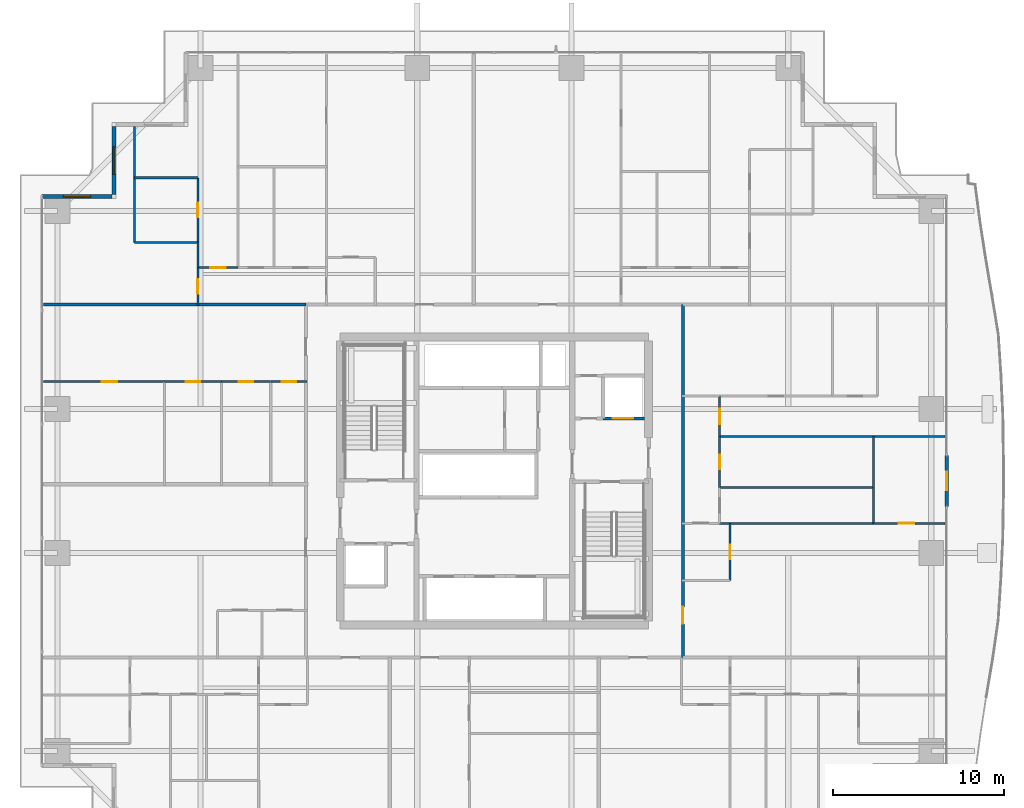
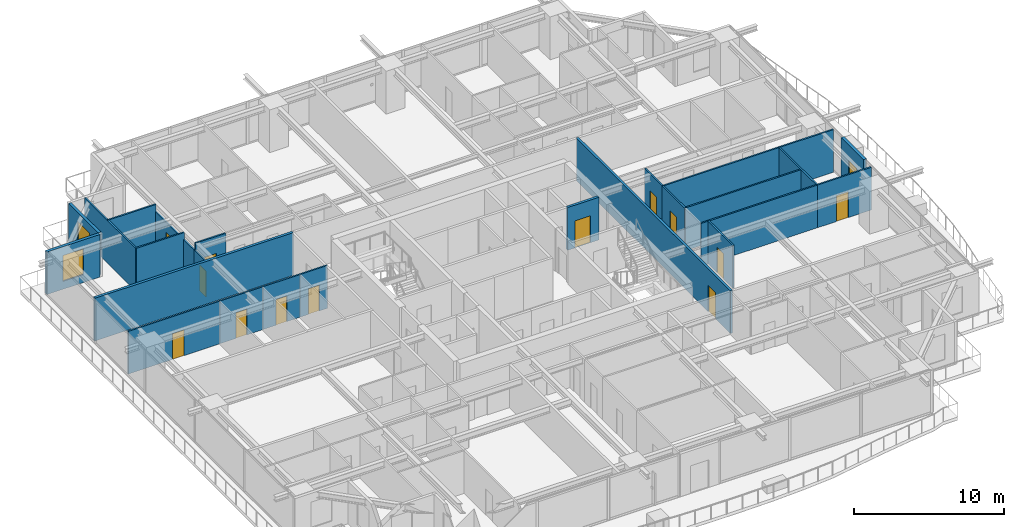
# One storey, part 30 of 39: 25 walls, 14 doors, 2 windows, 16 openings.
"""IFC4 building model written with IfcOpenShell, lengths in metres."""

from ifc_helpers import new_model, si_unit, direction, frame, frame_2d, origin, place, context, subcontext, project, spatial, rectangle, extrude, source, transform, mapped, material, layer, layer_set, type_object, element, fill, save


model = new_model("IFC4")

# Units and contexts
model_context = context("Model", 3, precision=1e-05, world=origin(), true_north=direction((0.0, 1.0)))
body_context = subcontext(model_context, "Body", "Model", "MODEL_VIEW")
ifc_project = project(units=[si_unit("LENGTHUNIT", "METRE"), si_unit("AREAUNIT", "SQUARE_METRE"), si_unit("VOLUMEUNIT", "CUBIC_METRE"), si_unit("PLANEANGLEUNIT", "RADIAN"), si_unit("MASSUNIT", "GRAM", prefix="KILO")], contexts=[model_context])

# Site, building, storey
site_placement = place(None, origin())
site = spatial("IfcSite", under=ifc_project, at=site_placement, CompositionType="ELEMENT")
building_placement = place(site_placement, origin())
building = spatial("IfcBuilding", under=site, at=building_placement, Name="Serunith Strait Residences", CompositionType="ELEMENT")
storey_placement = place(building_placement, frame((0.0, 0.0, 64.199951171875)))
storey = spatial("IfcBuildingStorey", under=building, at=storey_placement, Name="L15", CompositionType="ELEMENT", Elevation=64.199951171875)

# Wall, opening, door
ifc_material_1 = material(Name="Pale-Champagne Aluminium Insulated Panel", Category="aluminium")
ifc_layer_1 = layer(ifc_material_1, 0.219970703125, Name="Pale-Champagne Aluminium Insulated Panel")
ifc_layer_set_1 = layer_set([ifc_layer_1], Name="Pale-Champagne Aluminium Insulated Panel")
wall_type_1 = type_object("IfcWallType", Name="EW-ALUM-220", PredefinedType="ELEMENTEDWALL", material=ifc_layer_set_1)
wall_1_placement = place(storey_placement, frame((58.800048828125, 23.699951171875, 0.0), z_axis=(0.0, 0.0, 1.0), x_axis=(0.0, 1.0, 0.0)))
wall_1 = element("IfcWall", 1, at=wall_1_placement, inside=storey, type_object=wall_type_1, Name="L15 E Facade Pier Wall", PredefinedType="ELEMENTEDWALL", context=body_context, shape_type="SweptSolid", body=[
    extrude(rectangle(XDim=3.0, YDim=0.219970703125, at=frame_2d((1.5, 0.0))), origin(), (0.0, 0.0, 1.0), 3.47509765625),
])
opening_1_placement = place(wall_1_placement, frame((0.949951171875, 0.0, 0.0)))
opening_1 = element("IfcOpeningElement", 2, at=opening_1_placement, cuts=wall_1, Name="Opening ED-03", PredefinedType="OPENING", context=body_context, shape_type="SweptSolid", body=[
    extrude(rectangle(XDim=1.10009765625, YDim=2.199951171875, at=frame_2d((0.550048828125, 1.10009765625))), frame((0.0, 0.1201171875, 0.0), z_axis=(0.0, -1.0, 0.0), x_axis=(1.0, 0.0, 0.0)), (0.0, 0.0, 1.0), 0.239990234375),
])
ifc_material_2 = material(Name="Thermally-Broken Aluminium Glazed Balcony Door", Category="aluminium")
door_type_1 = type_object("IfcDoorType", Name="ED-BALC-1100", OperationType="NOTDEFINED", PredefinedType="DOOR", material=ifc_material_2)
shared_shape_1 = source(origin(), body_context, "Body", "SweptSolid", [
    extrude(rectangle(XDim=1.10009765625, YDim=2.199951171875, at=frame_2d((0.550048828125, 1.10009765625))), frame((0.0, 0.02490234375, 0.0), z_axis=(0.0, -1.0, 0.0), x_axis=(1.0, 0.0, 0.0)), (0.0, 0.0, 1.0), 0.050048828125),
])
door_1_placement = place(opening_1_placement, origin())
door_1 = element("IfcDoor", 3, at=door_1_placement, inside=storey, type_object=door_type_1, Name="L15 E Vertical-Forest Balcony Door", OperationType="SINGLE_SWING_RIGHT", OverallHeight=2.199951171875, OverallWidth=1.10009765625, PredefinedType="DOOR", context=body_context, shape_type="MappedRepresentation", body=[
    mapped(shared_shape_1, transform((0.0, 0.0, 0.0), scale=1.0)),
])
fill(opening_1, door_1)

# Wall, opening, window
wall_2_placement = place(storey_placement, frame((10.199951171875, 45.889892578125, 0.0), z_axis=(0.0, 0.0, 1.0), x_axis=(0.0, -1.0, 0.0)))
wall_2 = element("IfcWall", 4, at=wall_2_placement, inside=storey, type_object=wall_type_1, Name="L15 Girih Serrated Corner Wall 14", PredefinedType="ELEMENTEDWALL", context=body_context, shape_type="SweptSolid", body=[
    extrude(rectangle(XDim=3.97998046875, YDim=0.219970703125, at=frame_2d((1.989990234375, 0.0))), origin(), (0.0, 0.0, 1.0), 3.47509765625),
])
opening_2_placement = place(wall_2_placement, frame((1.18994140625, 0.0, 0.64990234375)))
opening_2 = element("IfcOpeningElement", 5, at=opening_2_placement, cuts=wall_2, Name="Opening W-02", PredefinedType="OPENING", context=body_context, shape_type="SweptSolid", body=[
    extrude(rectangle(XDim=1.60009765625, YDim=2.10009765625, at=frame_2d((0.800048828125, 1.050048828125))), frame((0.0, 0.1201171875, 0.0), z_axis=(0.0, -1.0, 0.0), x_axis=(1.0, 0.0, 0.0)), (0.0, 0.0, 1.0), 0.239990234375),
])
ifc_material_3 = material(Name="Ceramic-Fritted Operable Aluminium Window Glass", Category="aluminium")
window_type = type_object("IfcWindowType", Name="WIN-C2", PartitioningType="DOUBLE_PANEL_VERTICAL", PredefinedType="WINDOW", material=ifc_material_3)
shared_shape_2 = source(origin(), body_context, "Body", "SweptSolid", [
    extrude(rectangle(XDim=1.60009765625, YDim=2.10009765625, at=frame_2d((0.800048828125, 1.050048828125))), frame((0.0, 0.030029296875, 0.0), z_axis=(0.0, -1.0, 0.0), x_axis=(1.0, 0.0, 0.0)), (0.0, 0.0, 1.0), 0.06005859375),
])
window_1_placement = place(opening_2_placement, origin())
window_1 = element("IfcWindow", 6, at=window_1_placement, inside=storey, type_object=window_type, Name="L15 Corner Operable Fritted Window 14", OverallHeight=2.10009765625, OverallWidth=1.60009765625, PartitioningType="SINGLE_PANEL", PredefinedType="WINDOW", context=body_context, shape_type="MappedRepresentation", body=[
    mapped(shared_shape_2, transform((0.0, 0.0, 0.0), scale=1.0)),
])
fill(opening_2, window_1)

wall_3_placement = place(storey_placement, frame((10.090087890625, 41.800048828125, 0.0), z_axis=(0.0, 0.0, 1.0), x_axis=(-1.0, 0.0, 0.0)))
wall_3 = element("IfcWall", 7, at=wall_3_placement, inside=storey, type_object=wall_type_1, Name="L15 Girih Serrated Corner Wall 15", PredefinedType="ELEMENTEDWALL", context=body_context, shape_type="SweptSolid", body=[
    extrude(rectangle(XDim=4.090087890625, YDim=0.219970703125, at=frame_2d((2.044921875, 0.0))), origin(), (0.0, 0.0, 1.0), 3.47509765625),
])
opening_3_placement = place(wall_3_placement, frame((1.2451171875, 0.0, 0.64990234375)))
opening_3 = element("IfcOpeningElement", 8, at=opening_3_placement, cuts=wall_3, Name="Opening W-02", PredefinedType="OPENING", context=body_context, shape_type="SweptSolid", body=[
    extrude(rectangle(XDim=1.60009765625, YDim=2.10009765625, at=frame_2d((0.800048828125, 1.050048828125))), frame((0.0, 0.1201171875, 0.0), z_axis=(0.0, -1.0, 0.0), x_axis=(1.0, 0.0, 0.0)), (0.0, 0.0, 1.0), 0.239990234375),
])
window_2_placement = place(opening_3_placement, origin())
window_2 = element("IfcWindow", 9, at=window_2_placement, inside=storey, type_object=window_type, Name="L15 Corner Operable Fritted Window 15", OverallHeight=2.10009765625, OverallWidth=1.60009765625, PartitioningType="SINGLE_PANEL", PredefinedType="WINDOW", context=body_context, shape_type="MappedRepresentation", body=[
    mapped(shared_shape_2, transform((0.0, 0.0, 0.0), scale=1.0)),
])
fill(opening_3, window_2)

# Wall, opening, door
ifc_material_4 = material(Name="Fire-rated acoustic gypsum partition")
ifc_layer_2 = layer(ifc_material_4, 0.179931640625, Name="Fire-rated acoustic gypsum partition")
ifc_layer_set_2 = layer_set([ifc_layer_2], Name="Fire-rated acoustic gypsum partition")
wall_type_2 = type_object("IfcWallType", Name="IW-CORR-180", PredefinedType="PARTITIONING", material=ifc_layer_set_2)
wall_4_placement = place(storey_placement, frame((43.39990234375, 14.89990234375, 0.0), z_axis=(0.0, 0.0, 1.0), x_axis=(0.0, 1.0, 0.0)))
wall_4 = element("IfcWall", 10, at=wall_4_placement, inside=storey, type_object=wall_type_2, Name="L15 Partition Wall 026", PredefinedType="PARTITIONING", context=body_context, shape_type="SweptSolid", body=[
    extrude(rectangle(XDim=20.60009765625, YDim=0.179931640625, at=frame_2d((10.300048828125, 0.0))), origin(), (0.0, 0.0, 1.0), 3.489990234375),
])
opening_4_placement = place(wall_4_placement, frame((1.9599609375, 0.0, 0.0)))
opening_4 = element("IfcOpeningElement", 11, at=opening_4_placement, cuts=wall_4, Name="Opening D-APT1000", PredefinedType="OPENING", context=body_context, shape_type="SweptSolid", body=[
    extrude(rectangle(XDim=1.0, YDim=2.14990234375, at=frame_2d((0.5, 1.074951171875))), frame((0.0, 0.10009765625, 0.0), z_axis=(0.0, -1.0, 0.0), x_axis=(1.0, 0.0, 0.0)), (0.0, 0.0, 1.0), 0.199951171875),
])
ifc_material_5 = material(Name="Solid timber engineered fire door", Category="wood")
door_type_2 = type_object("IfcDoorType", Name="ID-APT-1000", OperationType="NOTDEFINED", PredefinedType="DOOR", material=ifc_material_5)
shared_shape_3 = source(origin(), body_context, "Body", "SweptSolid", [
    extrude(rectangle(XDim=1.0, YDim=2.14990234375, at=frame_2d((0.5, 1.074951171875))), frame((0.0, 0.02490234375, 0.0), z_axis=(0.0, -1.0, 0.0), x_axis=(1.0, 0.0, 0.0)), (0.0, 0.0, 1.0), 0.050048828125),
])
door_2_placement = place(opening_4_placement, origin())
door_2 = element("IfcDoor", 12, at=door_2_placement, inside=storey, type_object=door_type_2, Name="L15 Unit 08 Entrance Door", OperationType="SINGLE_SWING_RIGHT", OverallHeight=2.14990234375, OverallWidth=1.0, PredefinedType="DOOR", context=body_context, shape_type="MappedRepresentation", body=[
    mapped(shared_shape_3, transform((0.0, 0.0, 0.0), scale=1.0)),
])
fill(opening_4, door_2)

ifc_material_6 = material(Name="Lightweight steel-stud gypsum partition", Category="steel")
ifc_layer_3 = layer(ifc_material_6, 0.1201171875, Name="Lightweight steel-stud gypsum partition")
ifc_layer_set_3 = layer_set([ifc_layer_3], Name="Lightweight steel-stud gypsum partition")
wall_type_3 = type_object("IfcWallType", Name="IW-PART-120", PredefinedType="PARTITIONING", material=ifc_layer_set_3)
wall_5_placement = place(storey_placement, frame((15.10009765625, 37.64990234375, 0.0), z_axis=(0.0, 0.0, 1.0), x_axis=(1.0, 0.0, 0.0)))
wall_5 = element("IfcWall", 13, at=wall_5_placement, inside=storey, type_object=wall_type_3, Name="L15 Partition Wall 074", PredefinedType="PARTITIONING", context=body_context, shape_type="SweptSolid", body=[
    extrude(rectangle(XDim=2.347900390625, YDim=0.1201171875, at=frame_2d((1.173828125, 0.0))), origin(), (0.0, 0.0, 1.0), 3.489990234375),
])
opening_5_placement = place(wall_5_placement, frame((0.72412109375, 0.0, 0.0)))
opening_5 = element("IfcOpeningElement", 14, at=opening_5_placement, cuts=wall_5, Name="Opening D-RM900", PredefinedType="OPENING", context=body_context, shape_type="SweptSolid", body=[
    extrude(rectangle(XDim=0.89990234375, YDim=2.10009765625, at=frame_2d((0.449951171875, 1.050048828125))), frame((0.0, 0.070068359375, 0.0), z_axis=(0.0, -1.0, 0.0), x_axis=(1.0, 0.0, 0.0)), (0.0, 0.0, 1.0), 0.14013671875),
])
ifc_material_7 = material(Name="Engineered timber flush bedroom door", Category="wood")
door_type_3 = type_object("IfcDoorType", Name="ID-ROOM-900", OperationType="NOTDEFINED", PredefinedType="DOOR", material=ifc_material_7)
shared_shape_4 = source(origin(), body_context, "Body", "SweptSolid", [
    extrude(rectangle(XDim=0.89990234375, YDim=2.10009765625, at=frame_2d((0.449951171875, 1.050048828125))), frame((0.0, 0.02490234375, 0.0), z_axis=(0.0, -1.0, 0.0), x_axis=(1.0, 0.0, 0.0)), (0.0, 0.0, 1.0), 0.050048828125),
])
door_3_placement = place(opening_5_placement, origin())
door_3 = element("IfcDoor", 15, at=door_3_placement, inside=storey, type_object=door_type_3, Name="L15 Master Bedroom W 1504 Door", OperationType="SINGLE_SWING_RIGHT", OverallHeight=2.10009765625, OverallWidth=0.89990234375, PredefinedType="DOOR", context=body_context, shape_type="MappedRepresentation", body=[
    mapped(shared_shape_4, transform((0.0, 0.0, 0.0), scale=1.0)),
])
fill(opening_5, door_3)

# Walls
wall_6_placement = place(storey_placement, frame((11.39990234375, 42.89794921875, 0.0), z_axis=(0.0, 0.0, 1.0), x_axis=(1.0, 0.0, 0.0)))
element("IfcWall", 16, at=wall_6_placement, inside=storey, type_object=wall_type_3, Name="L15 Partition Wall 075", PredefinedType="PARTITIONING", context=body_context, shape_type="SweptSolid", body=[
    extrude(rectangle(XDim=3.7001953125, YDim=0.1201171875, at=frame_2d((1.85009765625, 0.0))), origin(), (0.0, 0.0, 1.0), 3.489990234375),
])
wall_7_placement = place(storey_placement, frame((11.39990234375, 45.905029296875, 0.0), z_axis=(0.0, 0.0, 1.0), x_axis=(0.0, -1.0, 0.0)))
element("IfcWall", 17, at=wall_7_placement, inside=storey, type_object=wall_type_3, Name="L15 Partition Wall 076", PredefinedType="PARTITIONING", context=body_context, shape_type="SweptSolid", body=[
    extrude(rectangle(XDim=6.791015625, YDim=0.1201171875, at=frame_2d((3.3955078125, 0.0))), origin(), (0.0, 0.0, 1.0), 3.489990234375),
])
wall_8_placement = place(storey_placement, frame((11.39990234375, 39.114013671875, 0.0), z_axis=(0.0, 0.0, 1.0), x_axis=(1.0, 0.0, 0.0)))
element("IfcWall", 18, at=wall_8_placement, inside=storey, type_object=wall_type_3, Name="L15 Partition Wall 077", PredefinedType="PARTITIONING", context=body_context, shape_type="SweptSolid", body=[
    extrude(rectangle(XDim=3.7001953125, YDim=0.1201171875, at=frame_2d((1.85009765625, 0.0))), origin(), (0.0, 0.0, 1.0), 3.489990234375),
])

# Wall, opening, door
wall_9_placement = place(storey_placement, frame((15.10009765625, 42.89794921875, 0.0), z_axis=(0.0, 0.0, 1.0), x_axis=(0.0, -1.0, 0.0)))
wall_9 = element("IfcWall", 19, at=wall_9_placement, inside=storey, type_object=wall_type_3, Name="L15 Partition Wall 078", PredefinedType="PARTITIONING", context=body_context, shape_type="SweptSolid", body=[
    extrude(rectangle(XDim=3.783935546875, YDim=0.1201171875, at=frame_2d((1.89208984375, 0.0))), origin(), (0.0, 0.0, 1.0), 2.922119140625),
])
opening_6_placement = place(wall_9_placement, frame((1.467041015625, 0.0, 0.0)))
opening_6 = element("IfcOpeningElement", 20, at=opening_6_placement, cuts=wall_9, Name="Opening D-BTH850", PredefinedType="OPENING", context=body_context, shape_type="SweptSolid", body=[
    extrude(rectangle(XDim=0.85009765625, YDim=2.10009765625, at=frame_2d((0.425048828125, 1.050048828125))), frame((0.0, 0.070068359375, 0.0), z_axis=(0.0, -1.0, 0.0), x_axis=(1.0, 0.0, 0.0)), (0.0, 0.0, 1.0), 0.14013671875),
])
ifc_material_8 = material(Name="Moisture-resistant timber bathroom door", Category="wood")
door_type_4 = type_object("IfcDoorType", Name="ID-BATH-850", OperationType="NOTDEFINED", PredefinedType="DOOR", material=ifc_material_8)
shared_shape_5 = source(origin(), body_context, "Body", "SweptSolid", [
    extrude(rectangle(XDim=0.85009765625, YDim=2.10009765625, at=frame_2d((0.425048828125, 1.050048828125))), frame((0.0, 0.02490234375, 0.0), z_axis=(0.0, -1.0, 0.0), x_axis=(1.0, 0.0, 0.0)), (0.0, 0.0, 1.0), 0.050048828125),
])
door_4_placement = place(opening_6_placement, origin())
door_4 = element("IfcDoor", 21, at=door_4_placement, inside=storey, type_object=door_type_4, Name="L15 En-suite Bathroom W 1504 Door", OperationType="SINGLE_SWING_LEFT", OverallHeight=2.10009765625, OverallWidth=0.85009765625, PredefinedType="DOOR", context=body_context, shape_type="MappedRepresentation", body=[
    mapped(shared_shape_5, transform((0.0, 0.0, 0.0), scale=1.0)),
])
fill(opening_6, door_4)

# Wall
wall_10_placement = place(storey_placement, frame((15.10009765625, 39.112060546875, 0.0), z_axis=(0.0, 0.0, 1.0), x_axis=(0.0, -1.0, 0.0)))
element("IfcWall", 22, at=wall_10_placement, inside=storey, type_object=wall_type_3, Name="L15 Partition Wall 079", PredefinedType="PARTITIONING", context=body_context, shape_type="SweptSolid", body=[
    extrude(rectangle(XDim=1.462158203125, YDim=0.1201171875, at=frame_2d((0.73095703125, 0.0))), origin(), (0.0, 0.0, 1.0), 2.922119140625),
])

# Wall, opening, door
wall_11_placement = place(storey_placement, frame((15.10009765625, 37.64794921875, 0.0), z_axis=(0.0, 0.0, 1.0), x_axis=(0.0, -1.0, 0.0)))
wall_11 = element("IfcWall", 23, at=wall_11_placement, inside=storey, type_object=wall_type_3, Name="L15 Partition Wall 080", PredefinedType="PARTITIONING", context=body_context, shape_type="SweptSolid", body=[
    extrude(rectangle(XDim=2.2080078125, YDim=0.1201171875, at=frame_2d((1.10400390625, 0.0))), origin(), (0.0, 0.0, 1.0), 2.922119140625),
])
opening_7_placement = place(wall_11_placement, frame((0.678955078125, 0.0, 0.0)))
opening_7 = element("IfcOpeningElement", 24, at=opening_7_placement, cuts=wall_11, Name="Opening D-RM850", PredefinedType="OPENING", context=body_context, shape_type="SweptSolid", body=[
    extrude(rectangle(XDim=0.85009765625, YDim=2.10009765625, at=frame_2d((0.425048828125, 1.050048828125))), frame((0.0, 0.070068359375, 0.0), z_axis=(0.0, -1.0, 0.0), x_axis=(1.0, 0.0, 0.0)), (0.0, 0.0, 1.0), 0.14013671875),
])
ifc_material_9 = material(Name="Engineered timber flush study and kitchen door", Category="wood")
door_type_5 = type_object("IfcDoorType", Name="ID-ROOM-850", OperationType="NOTDEFINED", PredefinedType="DOOR", material=ifc_material_9)
door_5_placement = place(opening_7_placement, origin())
door_5 = element("IfcDoor", 25, at=door_5_placement, inside=storey, type_object=door_type_5, Name="L15 Wardrobe W 1504 Door", OperationType="SINGLE_SWING_RIGHT", OverallHeight=2.10009765625, OverallWidth=0.85009765625, PredefinedType="DOOR", context=body_context, shape_type="MappedRepresentation", body=[
    mapped(shared_shape_5, transform((0.0, 0.0, 0.0), scale=1.0)),
])
fill(opening_7, door_5)

wall_12_placement = place(storey_placement, frame((6.094970703125, 31.0, 0.0), z_axis=(0.0, 0.0, 1.0), x_axis=(1.0, 0.0, 0.0)))
wall_12 = element("IfcWall", 26, at=wall_12_placement, inside=storey, type_object=wall_type_3, Name="L15 Partition Wall 100", PredefinedType="PARTITIONING", context=body_context, shape_type="SweptSolid", body=[
    extrude(rectangle(XDim=7.06298828125, YDim=0.1201171875, at=frame_2d((3.531494140625, 0.0))), origin(), (0.0, 0.0, 1.0), 3.489990234375),
])
opening_8_placement = place(wall_12_placement, frame((3.389892578125, 0.0, 0.0)))
opening_8 = element("IfcOpeningElement", 27, at=opening_8_placement, cuts=wall_12, Name="Opening D-RM900", PredefinedType="OPENING", context=body_context, shape_type="SweptSolid", body=[
    extrude(rectangle(XDim=0.89990234375, YDim=2.10009765625, at=frame_2d((0.449951171875, 1.050048828125))), frame((0.0, 0.070068359375, 0.0), z_axis=(0.0, -1.0, 0.0), x_axis=(1.0, 0.0, 0.0)), (0.0, 0.0, 1.0), 0.14013671875),
])
door_6_placement = place(opening_8_placement, origin())
door_6 = element("IfcDoor", 28, at=door_6_placement, inside=storey, type_object=door_type_3, Name="L15 Master Bedroom 1 1507 Door", OperationType="SINGLE_SWING_RIGHT", OverallHeight=2.10009765625, OverallWidth=0.89990234375, PredefinedType="DOOR", context=body_context, shape_type="MappedRepresentation", body=[
    mapped(shared_shape_4, transform((0.0, 0.0, 0.0), scale=1.0)),
])
fill(opening_8, door_6)

wall_13_placement = place(storey_placement, frame((13.159912109375, 31.0, 0.0), z_axis=(0.0, 0.0, 1.0), x_axis=(1.0, 0.0, 0.0)))
wall_13 = element("IfcWall", 29, at=wall_13_placement, inside=storey, type_object=wall_type_3, Name="L15 Partition Wall 104", PredefinedType="PARTITIONING", context=body_context, shape_type="SweptSolid", body=[
    extrude(rectangle(XDim=3.30712890625, YDim=0.1201171875, at=frame_2d((1.653564453125, 0.0))), origin(), (0.0, 0.0, 1.0), 3.489990234375),
])
opening_9_placement = place(wall_13_placement, frame((1.22802734375, 0.0, 0.0)))
opening_9 = element("IfcOpeningElement", 30, at=opening_9_placement, cuts=wall_13, Name="Opening D-RM850", PredefinedType="OPENING", context=body_context, shape_type="SweptSolid", body=[
    extrude(rectangle(XDim=0.85009765625, YDim=2.10009765625, at=frame_2d((0.425048828125, 1.050048828125))), frame((0.0, 0.070068359375, 0.0), z_axis=(0.0, -1.0, 0.0), x_axis=(1.0, 0.0, 0.0)), (0.0, 0.0, 1.0), 0.14013671875),
])
door_7_placement = place(opening_9_placement, origin())
door_7 = element("IfcDoor", 31, at=door_7_placement, inside=storey, type_object=door_type_5, Name="L15 Dining 1507 Door", OperationType="SINGLE_SWING_LEFT", OverallHeight=2.10009765625, OverallWidth=0.85009765625, PredefinedType="DOOR", context=body_context, shape_type="MappedRepresentation", body=[
    mapped(shared_shape_5, transform((0.0, 0.0, 0.0), scale=1.0)),
])
fill(opening_9, door_7)

wall_14_placement = place(storey_placement, frame((16.468994140625, 31.0, 0.0), z_axis=(0.0, 0.0, 1.0), x_axis=(1.0, 0.0, 0.0)))
wall_14 = element("IfcWall", 32, at=wall_14_placement, inside=storey, type_object=wall_type_3, Name="L15 Partition Wall 105", PredefinedType="PARTITIONING", context=body_context, shape_type="SweptSolid", body=[
    extrude(rectangle(XDim=2.881103515625, YDim=0.1201171875, at=frame_2d((1.4404296875, 0.0))), origin(), (0.0, 0.0, 1.0), 3.489990234375),
])
opening_10_placement = place(wall_14_placement, frame((1.01611328125, 0.0, 0.0)))
opening_10 = element("IfcOpeningElement", 33, at=opening_10_placement, cuts=wall_14, Name="Opening D-RM850", PredefinedType="OPENING", context=body_context, shape_type="SweptSolid", body=[
    extrude(rectangle(XDim=0.85009765625, YDim=2.10009765625, at=frame_2d((0.425048828125, 1.050048828125))), frame((0.0, 0.070068359375, 0.0), z_axis=(0.0, -1.0, 0.0), x_axis=(1.0, 0.0, 0.0)), (0.0, 0.0, 1.0), 0.14013671875),
])
door_8_placement = place(opening_10_placement, origin())
door_8 = element("IfcDoor", 34, at=door_8_placement, inside=storey, type_object=door_type_5, Name="L15 Kitchen 1507 Door", OperationType="SINGLE_SWING_RIGHT", OverallHeight=2.10009765625, OverallWidth=0.85009765625, PredefinedType="DOOR", context=body_context, shape_type="MappedRepresentation", body=[
    mapped(shared_shape_5, transform((0.0, 0.0, 0.0), scale=1.0)),
])
fill(opening_10, door_8)

wall_15_placement = place(storey_placement, frame((19.35205078125, 31.0, 0.0), z_axis=(0.0, 0.0, 1.0), x_axis=(1.0, 0.0, 0.0)))
wall_15 = element("IfcWall", 35, at=wall_15_placement, inside=storey, type_object=wall_type_3, Name="L15 Partition Wall 106", PredefinedType="PARTITIONING", context=body_context, shape_type="SweptSolid", body=[
    extrude(rectangle(XDim=2.10791015625, YDim=0.1201171875, at=frame_2d((1.053955078125, 0.0))), origin(), (0.0, 0.0, 1.0), 3.489990234375),
])
opening_11_placement = place(wall_15_placement, frame((0.62890625, 0.0, 0.0)))
opening_11 = element("IfcOpeningElement", 36, at=opening_11_placement, cuts=wall_15, Name="Opening D-BTH850", PredefinedType="OPENING", context=body_context, shape_type="SweptSolid", body=[
    extrude(rectangle(XDim=0.85009765625, YDim=2.10009765625, at=frame_2d((0.425048828125, 1.050048828125))), frame((0.0, 0.070068359375, 0.0), z_axis=(0.0, -1.0, 0.0), x_axis=(1.0, 0.0, 0.0)), (0.0, 0.0, 1.0), 0.14013671875),
])
door_9_placement = place(opening_11_placement, origin())
door_9 = element("IfcDoor", 37, at=door_9_placement, inside=storey, type_object=door_type_4, Name="L15 Bathroom 1507 Door", OperationType="SINGLE_SWING_LEFT", OverallHeight=2.10009765625, OverallWidth=0.85009765625, PredefinedType="DOOR", context=body_context, shape_type="MappedRepresentation", body=[
    mapped(shared_shape_5, transform((0.0, 0.0, 0.0), scale=1.0)),
])
fill(opening_11, door_9)

wall_16_placement = place(storey_placement, frame((46.14990234375, 19.39990234375, 0.0), z_axis=(0.0, 0.0, 1.0), x_axis=(0.0, 1.0, 0.0)))
wall_16 = element("IfcWall", 38, at=wall_16_placement, inside=storey, type_object=wall_type_3, Name="L15 Partition Wall 107", PredefinedType="PARTITIONING", context=body_context, shape_type="SweptSolid", body=[
    extrude(rectangle(XDim=3.330078125, YDim=0.1201171875, at=frame_2d((1.6650390625, 0.0))), origin(), (0.0, 0.0, 1.0), 3.489990234375),
])
opening_12_placement = place(wall_16_placement, frame((1.239990234375, 0.0, 0.0)))
opening_12 = element("IfcOpeningElement", 39, at=opening_12_placement, cuts=wall_16, Name="Opening D-RM850", PredefinedType="OPENING", context=body_context, shape_type="SweptSolid", body=[
    extrude(rectangle(XDim=0.85009765625, YDim=2.10009765625, at=frame_2d((0.425048828125, 1.050048828125))), frame((0.0, 0.070068359375, 0.0), z_axis=(0.0, -1.0, 0.0), x_axis=(1.0, 0.0, 0.0)), (0.0, 0.0, 1.0), 0.14013671875),
])
door_10_placement = place(opening_12_placement, origin())
door_10 = element("IfcDoor", 40, at=door_10_placement, inside=storey, type_object=door_type_5, Name="L15 Kitchen 1508 Door", OperationType="SINGLE_SWING_RIGHT", OverallHeight=2.10009765625, OverallWidth=0.85009765625, PredefinedType="DOOR", context=body_context, shape_type="MappedRepresentation", body=[
    mapped(shared_shape_5, transform((0.0, 0.0, 0.0), scale=1.0)),
])
fill(opening_12, door_10)

wall_17_placement = place(storey_placement, frame((58.705078125, 22.72998046875, 0.0), z_axis=(0.0, 0.0, 1.0), x_axis=(-1.0, 0.0, 0.0)))
wall_17 = element("IfcWall", 41, at=wall_17_placement, inside=storey, type_object=wall_type_3, Name="L15 Partition Wall 110", PredefinedType="PARTITIONING", context=body_context, shape_type="SweptSolid", body=[
    extrude(rectangle(XDim=4.1650390625, YDim=0.1201171875, at=frame_2d((2.08251953125, 0.0))), origin(), (0.0, 0.0, 1.0), 3.489990234375),
])
opening_13_placement = place(wall_17_placement, frame((1.7958984375, 0.0, 0.0)))
opening_13 = element("IfcOpeningElement", 42, at=opening_13_placement, cuts=wall_17, Name="Opening D-RM900", PredefinedType="OPENING", context=body_context, shape_type="SweptSolid", body=[
    extrude(rectangle(XDim=0.89990234375, YDim=2.10009765625, at=frame_2d((0.449951171875, 1.050048828125))), frame((0.0, 0.070068359375, 0.0), z_axis=(0.0, -1.0, 0.0), x_axis=(1.0, 0.0, 0.0)), (0.0, 0.0, 1.0), 0.14013671875),
])
door_11_placement = place(opening_13_placement, origin())
door_11 = element("IfcDoor", 43, at=door_11_placement, inside=storey, type_object=door_type_3, Name="L15 Study 1 1508 Door", OperationType="SINGLE_SWING_RIGHT", OverallHeight=2.10009765625, OverallWidth=0.89990234375, PredefinedType="DOOR", context=body_context, shape_type="MappedRepresentation", body=[
    mapped(shared_shape_4, transform((0.0, 0.0, 0.0), scale=1.0)),
])
fill(opening_13, door_11)

# Walls
wall_18_placement = place(storey_placement, frame((54.5380859375, 22.72998046875, 0.0), z_axis=(0.0, 0.0, 1.0), x_axis=(-1.0, 0.0, 0.0)))
element("IfcWall", 44, at=wall_18_placement, inside=storey, type_object=wall_type_3, Name="L15 Partition Wall 111", PredefinedType="PARTITIONING", context=body_context, shape_type="SweptSolid", body=[
    extrude(rectangle(XDim=8.986083984375, YDim=0.1201171875, at=frame_2d((4.4931640625, 0.0))), origin(), (0.0, 0.0, 1.0), 3.489990234375),
])
wall_19_placement = place(storey_placement, frame((54.5400390625, 22.72998046875, 0.0), z_axis=(0.0, 0.0, 1.0), x_axis=(0.0, 1.0, 0.0)))
element("IfcWall", 45, at=wall_19_placement, inside=storey, type_object=wall_type_3, Name="L15 Partition Wall 112", PredefinedType="PARTITIONING", context=body_context, shape_type="SweptSolid", body=[
    extrude(rectangle(XDim=5.070068359375, YDim=0.1201171875, at=frame_2d((2.53515625, 0.0))), origin(), (0.0, 0.0, 1.0), 3.489990234375),
])
wall_20_placement = place(storey_placement, frame((58.705078125, 27.800048828125, 0.0), z_axis=(0.0, 0.0, 1.0), x_axis=(-1.0, 0.0, 0.0)))
element("IfcWall", 46, at=wall_20_placement, inside=storey, type_object=wall_type_3, Name="L15 Partition Wall 113", PredefinedType="PARTITIONING", context=body_context, shape_type="SweptSolid", body=[
    extrude(rectangle(XDim=13.155029296875, YDim=0.1201171875, at=frame_2d((6.57763671875, 0.0))), origin(), (0.0, 0.0, 1.0), 3.489990234375),
])
wall_21_placement = place(storey_placement, frame((54.5400390625, 24.830078125, 0.0), z_axis=(0.0, 0.0, 1.0), x_axis=(-1.0, 0.0, 0.0)))
element("IfcWall", 47, at=wall_21_placement, inside=storey, type_object=wall_type_3, Name="L15 Partition Wall 114", PredefinedType="PARTITIONING", context=body_context, shape_type="SweptSolid", body=[
    extrude(rectangle(XDim=8.989990234375, YDim=0.1201171875, at=frame_2d((4.4951171875, 0.0))), origin(), (0.0, 0.0, 1.0), 3.489990234375),
])

# Wall, opening, door
wall_22_placement = place(storey_placement, frame((45.550048828125, 24.83203125, 0.0), z_axis=(0.0, 0.0, 1.0), x_axis=(0.0, 1.0, 0.0)))
wall_22 = element("IfcWall", 48, at=wall_22_placement, inside=storey, type_object=wall_type_3, Name="L15 Partition Wall 116", PredefinedType="PARTITIONING", context=body_context, shape_type="SweptSolid", body=[
    extrude(rectangle(XDim=2.968017578125, YDim=0.1201171875, at=frame_2d((1.48388671875, 0.0))), origin(), (0.0, 0.0, 1.0), 3.489990234375),
])
opening_14_placement = place(wall_22_placement, frame((1.05908203125, 0.0, 0.0)))
opening_14 = element("IfcOpeningElement", 49, at=opening_14_placement, cuts=wall_22, Name="Opening D-RM850", PredefinedType="OPENING", context=body_context, shape_type="SweptSolid", body=[
    extrude(rectangle(XDim=0.85009765625, YDim=2.10009765625, at=frame_2d((0.425048828125, 1.050048828125))), frame((0.0, 0.070068359375, 0.0), z_axis=(0.0, -1.0, 0.0), x_axis=(1.0, 0.0, 0.0)), (0.0, 0.0, 1.0), 0.14013671875),
])
door_12_placement = place(opening_14_placement, origin())
door_12 = element("IfcDoor", 50, at=door_12_placement, inside=storey, type_object=door_type_5, Name="L15 Study 1508 Door", OperationType="SINGLE_SWING_RIGHT", OverallHeight=2.10009765625, OverallWidth=0.85009765625, PredefinedType="DOOR", context=body_context, shape_type="MappedRepresentation", body=[
    mapped(shared_shape_5, transform((0.0, 0.0, 0.0), scale=1.0)),
])
fill(opening_14, door_12)

wall_23_placement = place(storey_placement, frame((45.550048828125, 27.802001953125, 0.0), z_axis=(0.0, 0.0, 1.0), x_axis=(0.0, 1.0, 0.0)))
wall_23 = element("IfcWall", 51, at=wall_23_placement, inside=storey, type_object=wall_type_3, Name="L15 Partition Wall 117", PredefinedType="PARTITIONING", context=body_context, shape_type="SweptSolid", body=[
    extrude(rectangle(XDim=2.347900390625, YDim=0.1201171875, at=frame_2d((1.173828125, 0.0))), origin(), (0.0, 0.0, 1.0), 3.489990234375),
])
opening_15_placement = place(wall_23_placement, frame((0.72412109375, 0.0, 0.0)))
opening_15 = element("IfcOpeningElement", 52, at=opening_15_placement, cuts=wall_23, Name="Opening D-RM900", PredefinedType="OPENING", context=body_context, shape_type="SweptSolid", body=[
    extrude(rectangle(XDim=0.89990234375, YDim=2.10009765625, at=frame_2d((0.449951171875, 1.050048828125))), frame((0.0, 0.070068359375, 0.0), z_axis=(0.0, -1.0, 0.0), x_axis=(1.0, 0.0, 0.0)), (0.0, 0.0, 1.0), 0.14013671875),
])
door_13_placement = place(opening_15_placement, origin())
door_13 = element("IfcDoor", 53, at=door_13_placement, inside=storey, type_object=door_type_3, Name="L15 Master Bedroom E 1508 Door", OperationType="SINGLE_SWING_LEFT", OverallHeight=2.10009765625, OverallWidth=0.89990234375, PredefinedType="DOOR", context=body_context, shape_type="MappedRepresentation", body=[
    mapped(shared_shape_4, transform((0.0, 0.0, 0.0), scale=1.0)),
])
fill(opening_15, door_13)

# Wall
ifc_material_10 = material(Name="Twin-stud acoustic gypsum board partition")
ifc_layer_4 = layer(ifc_material_10, 0.199951171875, Name="Twin-stud acoustic gypsum board partition")
ifc_layer_set_4 = layer_set([ifc_layer_4], Name="Twin-stud acoustic gypsum board partition")
wall_type_4 = type_object("IfcWallType", Name="IW-PARTY-200", PredefinedType="PARTITIONING", material=ifc_layer_set_4)
wall_24_placement = place(storey_placement, frame((6.08203125, 35.5, 0.0), z_axis=(0.0, 0.0, 1.0), x_axis=(1.0, 0.0, 0.0)))
element("IfcWall", 54, at=wall_24_placement, inside=storey, type_object=wall_type_4, Name="L15 Partition Wall 021", PredefinedType="PARTITIONING", context=body_context, shape_type="SweptSolid", body=[
    extrude(rectangle(XDim=15.31787109375, YDim=0.199951171875, at=frame_2d((7.658935546875, 0.0))), origin(), (0.0, 0.0, 1.0), 3.489990234375),
])

# Wall, opening, door
ifc_material_11 = material(Name="Autoclaved aerated concrete blockwork", Category="masonry")
ifc_layer_5 = layer(ifc_material_11, 0.199951171875, Name="Autoclaved aerated concrete blockwork")
ifc_layer_set_5 = layer_set([ifc_layer_5], Name="Autoclaved aerated concrete blockwork")
wall_type_5 = type_object("IfcWallType", Name="IW-SHAFT-200", PredefinedType="STANDARD", material=ifc_layer_set_5)
wall_25_placement = place(storey_placement, frame((38.75, 28.85009765625, 0.0), z_axis=(0.0, 0.0, 1.0), x_axis=(1.0, 0.0, 0.0)))
wall_25 = element("IfcWall", 55, at=wall_25_placement, inside=storey, type_object=wall_type_5, Name="L15 FL-2 South Shaft Wall", PredefinedType="STANDARD", context=body_context, shape_type="SweptSolid", body=[
    extrude(rectangle(XDim=2.425048828125, YDim=0.199951171875, at=frame_2d((1.21240234375, 0.0))), origin(), (0.0, 0.0, 1.0), 3.489990234375),
])
opening_16_placement = place(wall_25_placement, frame((0.550048828125, 0.0, 0.0)))
opening_16 = element("IfcOpeningElement", 56, at=opening_16_placement, cuts=wall_25, Name="Opening LD-FF1200", PredefinedType="OPENING", context=body_context, shape_type="SweptSolid", body=[
    extrude(rectangle(XDim=1.199951171875, YDim=2.199951171875, at=frame_2d((0.60009765625, 1.10009765625))), frame((0.0, 0.10986328125, 0.0), z_axis=(0.0, -1.0, 0.0), x_axis=(1.0, 0.0, 0.0)), (0.0, 0.0, 1.0), 0.219970703125),
])
ifc_material_12 = material(Name="Brushed stainless steel landing door", Category="steel")
door_type_6 = type_object("IfcDoorType", Name="LD-FF-1200", OperationType="DOUBLE_DOOR_SLIDING", PredefinedType="DOOR", material=ifc_material_12)
shared_shape_6 = source(origin(), body_context, "Body", "SweptSolid", [
    extrude(rectangle(XDim=1.199951171875, YDim=2.199951171875, at=frame_2d((0.60009765625, 1.10009765625))), frame((0.0, 0.02490234375, 0.0), z_axis=(0.0, -1.0, 0.0), x_axis=(1.0, 0.0, 0.0)), (0.0, 0.0, 1.0), 0.050048828125),
])
door_14_placement = place(opening_16_placement, origin())
door_14 = element("IfcDoor", 57, at=door_14_placement, inside=storey, type_object=door_type_6, Name="L15 FL-2 Landing Door", OperationType="DOUBLE_DOOR_SLIDING", OverallHeight=2.199951171875, OverallWidth=1.199951171875, PredefinedType="DOOR", context=body_context, shape_type="MappedRepresentation", body=[
    mapped(shared_shape_6, transform((0.0, 0.0, 0.0), scale=1.0)),
])
fill(opening_16, door_14)

save(model, "model.ifc")
